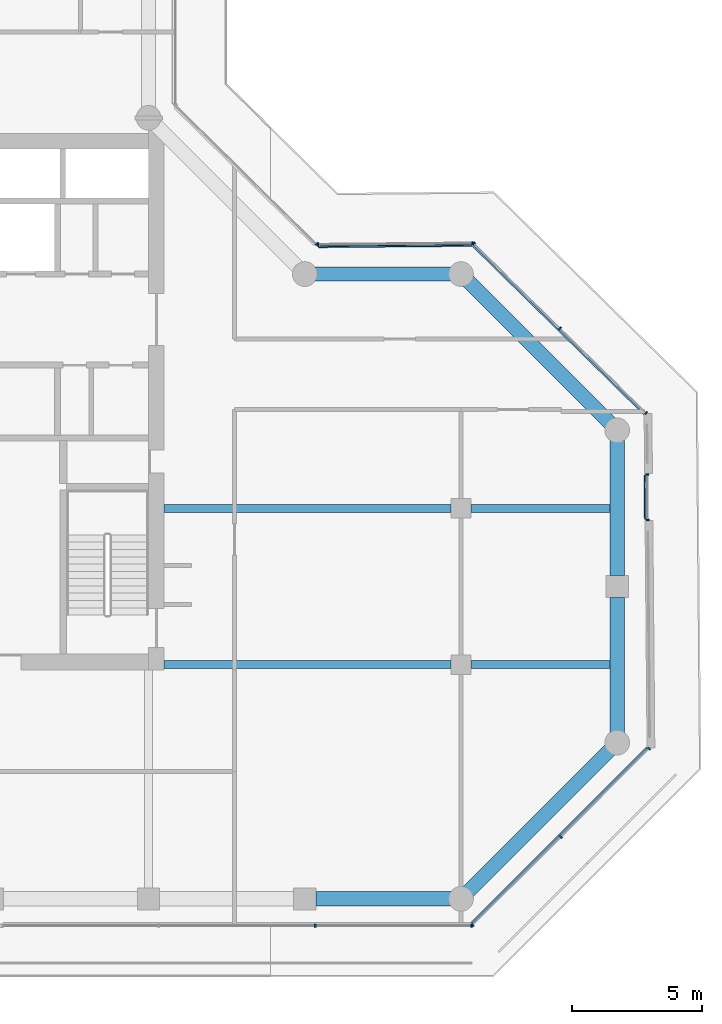
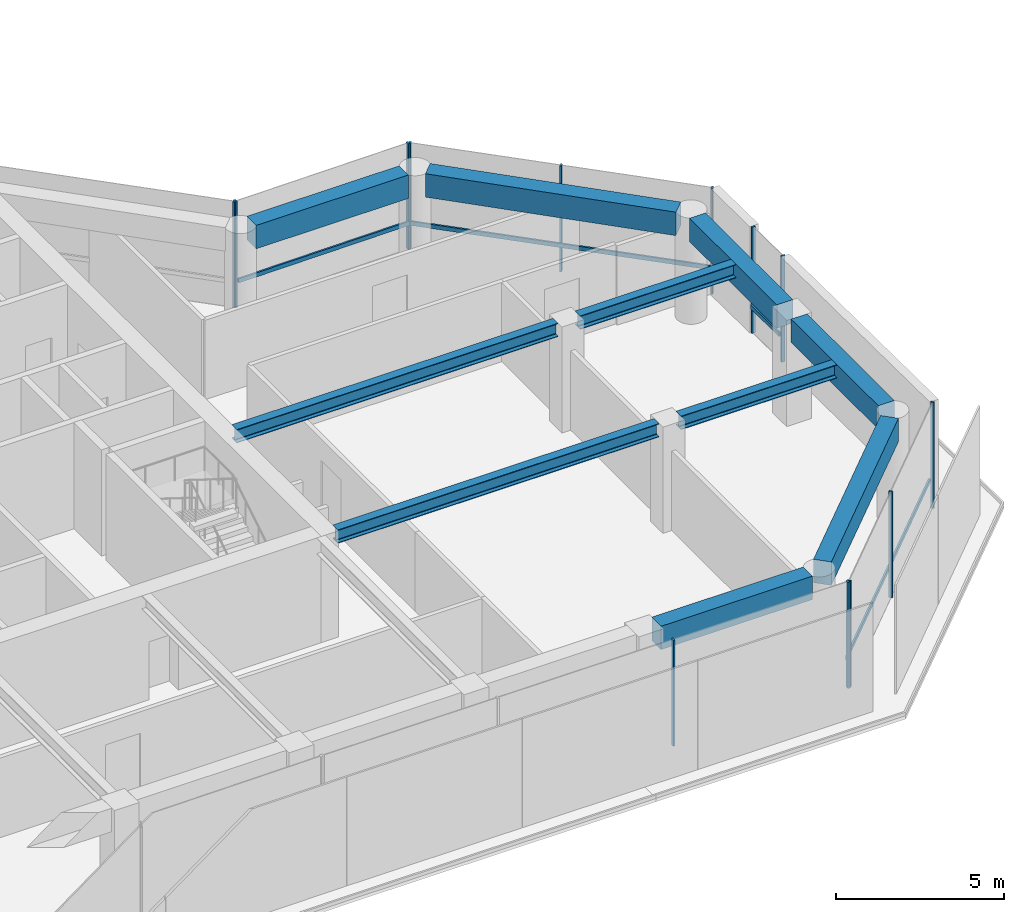
# One storey, part 6 of 19: 17 members, 10 beams, 6 elements without a shape of their own.
"""IFC4 building model written with IfcOpenShell, lengths in metres."""

from ifc_helpers import new_model, si_unit, direction, frame, origin, origin_2d, place, context, subcontext, project, spatial, rectangle, i_section, extrude, material, layer, layer_set, material_profile, profile_set, type_object, element, aggregate, save


model = new_model("IFC4")

# Units and contexts
model_context = context("Model", 3, precision=1e-05, world=origin(), true_north=direction((0.0, 1.0)))
body_context = subcontext(model_context, "Body", "Model", "MODEL_VIEW")
ifc_project = project(units=[si_unit("LENGTHUNIT", "METRE"), si_unit("AREAUNIT", "SQUARE_METRE"), si_unit("VOLUMEUNIT", "CUBIC_METRE"), si_unit("PLANEANGLEUNIT", "RADIAN"), si_unit("MASSUNIT", "GRAM", prefix="KILO")], contexts=[model_context])

# Site, building, storey
site_placement = place(None, origin())
site = spatial("IfcSite", under=ifc_project, at=site_placement, CompositionType="ELEMENT")
building_placement = place(site_placement, origin())
building = spatial("IfcBuilding", under=site, at=building_placement, Name="Welwitschia Terrace Campus", CompositionType="ELEMENT")
storey_placement = place(building_placement, frame((0.0, 0.0, 171.800048828125)))
storey = spatial("IfcBuildingStorey", under=building, at=storey_placement, Name="L38", CompositionType="ELEMENT", Elevation=171.800048828125)

# Beams
ifc_material_1 = material(Name="Steel S355", Category="steel")
ifc_material_profile_1 = material_profile(ifc_material_1, i_section(OverallWidth=0.300048828125, OverallDepth=0.489990234375, WebThickness=0.011962890625, FlangeThickness=0.02294921875, FilletRadius=0.027099609375, at=origin_2d()))
ifc_profile_set_1 = profile_set([ifc_material_profile_1], Name="Steel S355")
beam_type_1 = type_object("IfcBeamType", Name="Interior girder HE 500 A", PredefinedType="BEAM", material=ifc_profile_set_1)
beam_1_placement = place(storey_placement, frame((24.60107421875, 5.0, 3.60498046875), z_axis=(1.0, 0.0, 0.0), x_axis=(0.0, 1.0, 0.0)))
element("IfcBeam", 1, at=beam_1_placement, inside=storey, type_object=beam_type_1, Name="Girder GB4", PredefinedType="BEAM", context=body_context, shape_type="SweptSolid", body=[
    extrude(i_section(OverallWidth=0.300048828125, OverallDepth=0.489990234375, WebThickness=0.011962890625, FlangeThickness=0.02294921875, FilletRadius=0.027099609375, at=origin_2d()), origin(), (0.0, 0.0, 1.0), 11.0234375),
])
beam_2_placement = place(storey_placement, frame((36.37548828125, 5.0, 3.60498046875), z_axis=(1.0, 0.0, 0.0), x_axis=(0.0, 1.0, 0.0)))
element("IfcBeam", 2, at=beam_2_placement, inside=storey, type_object=beam_type_1, Name="Girder GB4", PredefinedType="BEAM", context=body_context, shape_type="SweptSolid", body=[
    extrude(i_section(OverallWidth=0.300048828125, OverallDepth=0.489990234375, WebThickness=0.011962890625, FlangeThickness=0.02294921875, FilletRadius=0.027099609375, at=origin_2d()), origin(), (0.0, 0.0, 1.0), 5.634521484375),
])
beam_3_placement = place(storey_placement, frame((24.60107421875, 11.0, 3.60498046875), z_axis=(1.0, 0.0, 0.0), x_axis=(0.0, 1.0, 0.0)))
element("IfcBeam", 3, at=beam_3_placement, inside=storey, type_object=beam_type_1, Name="Girder GB4", PredefinedType="BEAM", context=body_context, shape_type="SweptSolid", body=[
    extrude(i_section(OverallWidth=0.300048828125, OverallDepth=0.489990234375, WebThickness=0.011962890625, FlangeThickness=0.02294921875, FilletRadius=0.027099609375, at=origin_2d()), origin(), (0.0, 0.0, 1.0), 11.0234375),
])
beam_4_placement = place(storey_placement, frame((36.37548828125, 11.0, 3.60498046875), z_axis=(1.0, 0.0, 0.0), x_axis=(0.0, 1.0, 0.0)))
element("IfcBeam", 4, at=beam_4_placement, inside=storey, type_object=beam_type_1, Name="Girder GB4", PredefinedType="BEAM", context=body_context, shape_type="SweptSolid", body=[
    extrude(i_section(OverallWidth=0.300048828125, OverallDepth=0.489990234375, WebThickness=0.011962890625, FlangeThickness=0.02294921875, FilletRadius=0.027099609375, at=origin_2d()), origin(), (0.0, 0.0, 1.0), 5.634521484375),
])

# Curtain wall, members
ifc_material_2 = material(Name="Bronze anodised aluminium", Category="aluminium")
ifc_layer = layer(ifc_material_2, 0.1201171875)
ifc_layer_set = layer_set([ifc_layer], Name="Bronze anodised aluminium")
curtain_wall_type = type_object("IfcCurtainWallType", Name="Curtain wall CW2 tower 6000", PredefinedType="NOTDEFINED", material=ifc_layer_set)
curtain_wall_1_placement = place(storey_placement, origin())
curtain_wall_1 = element("IfcCurtainWall", 5, at=curtain_wall_1_placement, inside=storey, type_object=curtain_wall_type, Name="CW L38.4.0", PredefinedType="NOTDEFINED")
ifc_material_3 = material(Name="Bronze anodised aluminium", Category="aluminium")
ifc_material_profile_2 = material_profile(ifc_material_3, rectangle(XDim=0.1201171875, YDim=0.06005859375, at=origin_2d()))
ifc_profile_set_2 = profile_set([ifc_material_profile_2], Name="Bronze anodised aluminium")
member_type_1 = type_object("IfcMemberType", Name="Mullion 60x120", PredefinedType="MULLION", material=ifc_profile_set_2)
member_1_placement = place(storey_placement, frame((30.401611328125, -5.030029296875, 0.0), z_axis=(0.0, 0.0, 1.0), x_axis=(0.0, 1.0, 0.0)))
member_1 = element("IfcMember", 6, at=member_1_placement, type_object=member_type_1, Name="Mullion L38.4.0.2", PredefinedType="MULLION", context=body_context, shape_type="SweptSolid", body=[
    extrude(rectangle(XDim=0.1201171875, YDim=0.06005859375, at=origin_2d()), origin(), (0.0, 0.0, 1.0), 3.849853515625),
])
member_2_placement = place(storey_placement, frame((36.396728515625, -5.030029296875, 0.0), z_axis=(0.0, 0.0, 1.0), x_axis=(0.0, 1.0, 0.0)))
member_2 = element("IfcMember", 7, at=member_2_placement, type_object=member_type_1, Name="Mullion L38.4.0.3", PredefinedType="MULLION", context=body_context, shape_type="SweptSolid", body=[
    extrude(rectangle(XDim=0.1201171875, YDim=0.06005859375, at=origin_2d()), origin(), (0.0, 0.0, 1.0), 3.849853515625),
])
aggregate(curtain_wall_1, [member_1, member_2])

curtain_wall_2_placement = place(storey_placement, origin())
curtain_wall_2 = element("IfcCurtainWall", 8, at=curtain_wall_2_placement, inside=storey, type_object=curtain_wall_type, Name="CW L38.5.0", PredefinedType="NOTDEFINED")
member_3_placement = place(storey_placement, frame((36.44775390625, -5.0087890625, 0.0), z_axis=(0.0, 0.0, 1.0), x_axis=(-0.707169879169, 0.707043677573, 0.0)))
member_3 = element("IfcMember", 9, at=member_3_placement, type_object=member_type_1, Name="Mullion L38.5.0.0", PredefinedType="MULLION", context=body_context, shape_type="SweptSolid", body=[
    extrude(rectangle(XDim=0.1201171875, YDim=0.06005859375, at=origin_2d()), origin(), (0.0, 0.0, 1.0), 3.849853515625),
])
member_4_placement = place(storey_placement, frame((39.83642578125, -1.61962890625, 0.0), z_axis=(0.0, 0.0, 1.0), x_axis=(-0.707169879169, 0.707043677573, 0.0)))
member_4 = element("IfcMember", 10, at=member_4_placement, type_object=member_type_1, Name="Mullion L38.5.0.1", PredefinedType="MULLION", context=body_context, shape_type="SweptSolid", body=[
    extrude(rectangle(XDim=0.1201171875, YDim=0.06005859375, at=origin_2d()), origin(), (0.0, 0.0, 1.0), 3.849853515625),
])
member_5_placement = place(storey_placement, frame((43.224853515625, 1.76953125, 0.0), z_axis=(0.0, 0.0, 1.0), x_axis=(-0.707169879169, 0.707043677573, 0.0)))
member_5 = element("IfcMember", 11, at=member_5_placement, type_object=member_type_1, Name="Mullion L38.5.0.2", PredefinedType="MULLION", context=body_context, shape_type="SweptSolid", body=[
    extrude(rectangle(XDim=0.1201171875, YDim=0.06005859375, at=origin_2d()), origin(), (0.0, 0.0, 1.0), 3.849853515625),
])

curtain_wall_3_placement = place(storey_placement, origin())
curtain_wall_3 = element("IfcCurtainWall", 12, at=curtain_wall_3_placement, inside=storey, type_object=curtain_wall_type, Name="CW L38.6.S0", PredefinedType="NOTDEFINED")
member_6_placement = place(storey_placement, frame((43.169677734375, 10.560546875, 0.0), z_axis=(0.0, 0.0, 1.0), x_axis=(-0.999961923064, -0.008726535498, 0.0)))
member_6 = element("IfcMember", 13, at=member_6_placement, type_object=member_type_1, Name="Mullion L38.6.S0.0", PredefinedType="MULLION", context=body_context, shape_type="SweptSolid", body=[
    extrude(rectangle(XDim=0.1201171875, YDim=0.06005859375, at=origin_2d()), origin(), (0.0, 0.0, 1.0), 3.849853515625),
])
member_7_placement = place(storey_placement, frame((43.154541015625, 12.30029296875, 0.0), z_axis=(0.0, 0.0, 1.0), x_axis=(-0.999961923064, -0.008726535498, 0.0)))
member_7 = element("IfcMember", 14, at=member_7_placement, type_object=member_type_1, Name="Mullion L38.6.S0.1", PredefinedType="MULLION", context=body_context, shape_type="SweptSolid", body=[
    extrude(rectangle(XDim=0.1201171875, YDim=0.06005859375, at=origin_2d()), origin(), (0.0, 0.0, 1.0), 3.849853515625),
])

curtain_wall_4_placement = place(storey_placement, origin())
curtain_wall_4 = element("IfcCurtainWall", 15, at=curtain_wall_4_placement, inside=storey, type_object=curtain_wall_type, Name="CW L38.7.0", PredefinedType="NOTDEFINED")
member_8_placement = place(storey_placement, frame((43.112548828125, 14.664794921875, 0.0), z_axis=(0.0, 0.0, 1.0), x_axis=(-0.7009092643, -0.713250449154, 0.0)))
member_8 = element("IfcMember", 16, at=member_8_placement, type_object=member_type_1, Name="Mullion L38.7.0.0", PredefinedType="MULLION", context=body_context, shape_type="SweptSolid", body=[
    extrude(rectangle(XDim=0.1201171875, YDim=0.06005859375, at=origin_2d()), origin(), (0.0, 0.0, 1.0), 3.849853515625),
])
member_9_placement = place(storey_placement, frame((39.8037109375, 17.91650390625, 0.0), z_axis=(0.0, 0.0, 1.0), x_axis=(-0.7009092643, -0.713250449154, 0.0)))
member_9 = element("IfcMember", 17, at=member_9_placement, type_object=member_type_1, Name="Mullion L38.7.0.1", PredefinedType="MULLION", context=body_context, shape_type="SweptSolid", body=[
    extrude(rectangle(XDim=0.1201171875, YDim=0.06005859375, at=origin_2d()), origin(), (0.0, 0.0, 1.0), 3.849853515625),
])
member_10_placement = place(storey_placement, frame((36.49462890625, 21.168212890625, 0.0), z_axis=(0.0, 0.0, 1.0), x_axis=(-0.7009092643, -0.713250449154, 0.0)))
member_10 = element("IfcMember", 18, at=member_10_placement, type_object=member_type_1, Name="Mullion L38.7.0.2", PredefinedType="MULLION", context=body_context, shape_type="SweptSolid", body=[
    extrude(rectangle(XDim=0.1201171875, YDim=0.06005859375, at=origin_2d()), origin(), (0.0, 0.0, 1.0), 3.849853515625),
])

curtain_wall_5_placement = place(storey_placement, origin())
curtain_wall_5 = element("IfcCurtainWall", 19, at=curtain_wall_5_placement, inside=storey, type_object=curtain_wall_type, Name="CW L38.8.0", PredefinedType="NOTDEFINED")
member_11_placement = place(storey_placement, frame((36.443359375, 21.18896484375, 0.0), z_axis=(0.0, 0.0, 1.0), x_axis=(0.008726535498, -0.999961923064, 0.0)))
member_11 = element("IfcMember", 20, at=member_11_placement, type_object=member_type_1, Name="Mullion L38.8.0.0", PredefinedType="MULLION", context=body_context, shape_type="SweptSolid", body=[
    extrude(rectangle(XDim=0.1201171875, YDim=0.06005859375, at=origin_2d()), origin(), (0.0, 0.0, 1.0), 3.849853515625),
])
member_12_placement = place(storey_placement, frame((30.50341796875, 21.136962890625, 0.0), z_axis=(0.0, 0.0, 1.0), x_axis=(0.008726535498, -0.999961923064, 0.0)))
member_12 = element("IfcMember", 21, at=member_12_placement, type_object=member_type_1, Name="Mullion L38.8.0.1", PredefinedType="MULLION", context=body_context, shape_type="SweptSolid", body=[
    extrude(rectangle(XDim=0.1201171875, YDim=0.06005859375, at=origin_2d()), origin(), (0.0, 0.0, 1.0), 3.849853515625),
])

# Curtain wall, member
curtain_wall_6_placement = place(storey_placement, origin())
curtain_wall_6 = element("IfcCurtainWall", 22, at=curtain_wall_6_placement, inside=storey, type_object=curtain_wall_type, Name="CW L38.9.0", PredefinedType="NOTDEFINED")
member_13_placement = place(storey_placement, frame((30.4521484375, 21.15771484375, 0.0), z_axis=(0.0, 0.0, 1.0), x_axis=(-0.7009092643, -0.713250449154, 0.0)))
member_13 = element("IfcMember", 23, at=member_13_placement, type_object=member_type_1, Name="Mullion L38.9.0.0", PredefinedType="MULLION", context=body_context, shape_type="SweptSolid", body=[
    extrude(rectangle(XDim=0.1201171875, YDim=0.06005859375, at=origin_2d()), origin(), (0.0, 0.0, 1.0), 3.849853515625),
])
aggregate(curtain_wall_6, [member_13])

# Beams
ifc_material_4 = material(Name="Concrete C50/60", Category="concrete")
ifc_material_profile_3 = material_profile(ifc_material_4, rectangle(XDim=0.550048828125, YDim=0.85009765625, at=origin_2d()))
ifc_profile_set_3 = profile_set([ifc_material_profile_3], Name="Concrete C50/60")
beam_type_2 = type_object("IfcBeamType", Name="Ring spandrel 550x850", PredefinedType="SPANDREL", material=ifc_profile_set_3)
beam_5_placement = place(storey_placement, frame((30.425537109375, -4.0, 3.425048828125), z_axis=(1.0, 0.0, 0.0), x_axis=(0.0, 1.0, 0.0)))
element("IfcBeam", 24, at=beam_5_placement, inside=storey, type_object=beam_type_2, Name="Spandrel SP3", PredefinedType="SPANDREL", context=body_context, shape_type="SweptSolid", body=[
    extrude(rectangle(XDim=0.550048828125, YDim=0.85009765625, at=origin_2d()), origin(), (0.0, 0.0, 1.0), 5.1865234375),
])
beam_6_placement = place(storey_placement, frame((36.2744140625, -3.7255859375, 3.425048828125), z_axis=(0.707106781187, 0.707106781187, 0.0), x_axis=(-0.707106781187, 0.707106781187, 0.0)))
element("IfcBeam", 25, at=beam_6_placement, inside=storey, type_object=beam_type_2, Name="Spandrel SP3", PredefinedType="SPANDREL", context=body_context, shape_type="SweptSolid", body=[
    extrude(rectangle(XDim=0.550048828125, YDim=0.85009765625, at=origin_2d()), origin(), (0.0, 0.0, 1.0), 7.709228515625),
])
for number, where, z_axis, x_axis, name in (
    (26, (42.0, 2.387939453125, 3.425048828125), (0.0, 1.0, 0.0), (-1.0, 0.0, 0.0), "Spandrel SP3"),
    (27, (42.0, 8.425537109375, 3.425048828125), (0.0, 1.0, 0.0), (-1.0, 0.0, 0.0), "Spandrel SP3"),
):
    element("IfcBeam", number, at=place(storey_placement, frame(where, z_axis=z_axis, x_axis=x_axis)), inside=storey, type_object=beam_type_2, Name=name, PredefinedType="SPANDREL", context=body_context, shape_type="SweptSolid", body=[
        extrude(rectangle(XDim=0.550048828125, YDim=0.85009765625, at=origin_2d()), origin(), (0.0, 0.0, 1.0), 5.1865234375),
    ])
beam_7_placement = place(storey_placement, frame((41.7255859375, 14.2744140625, 3.425048828125), z_axis=(-0.707106781187, 0.707106781187, 0.0), x_axis=(-0.707106781187, -0.707106781187, 0.0)))
element("IfcBeam", 28, at=beam_7_placement, inside=storey, type_object=beam_type_2, Name="Spandrel SP3", PredefinedType="SPANDREL", context=body_context, shape_type="SweptSolid", body=[
    extrude(rectangle(XDim=0.550048828125, YDim=0.85009765625, at=origin_2d()), origin(), (0.0, 0.0, 1.0), 7.709228515625),
])
beam_8_placement = place(storey_placement, frame((35.612060546875, 20.0, 3.425048828125), z_axis=(-1.0, 0.0, 0.0), x_axis=(0.0, -1.0, 0.0)))
element("IfcBeam", 29, at=beam_8_placement, inside=storey, type_object=beam_type_2, Name="Spandrel SP3", PredefinedType="SPANDREL", context=body_context, shape_type="SweptSolid", body=[
    extrude(rectangle(XDim=0.550048828125, YDim=0.85009765625, at=origin_2d()), origin(), (0.0, 0.0, 1.0), 5.22412109375),
])

# Member
ifc_material_5 = material(Name="Bronze anodised aluminium", Category="aluminium")
ifc_material_profile_4 = material_profile(ifc_material_5, rectangle(XDim=0.06005859375, YDim=0.14990234375, at=origin_2d()))
ifc_profile_set_4 = profile_set([ifc_material_profile_4], Name="Bronze anodised aluminium")
member_type_2 = type_object("IfcMemberType", Name="Transom 60x150", PredefinedType="USERDEFINED", material=ifc_profile_set_4)
member_14_placement = place(storey_placement, frame((36.405517578125, -4.923828125, 1.0), z_axis=(0.707042699735, 0.707170856831, 0.0), x_axis=(-0.707170856831, 0.707042699735, 0.0)))
member_14 = element("IfcMember", 30, at=member_14_placement, type_object=member_type_2, Name="Transom L38.5.0", ObjectType="TRANSOM", PredefinedType="USERDEFINED", context=body_context, shape_type="SweptSolid", body=[
    extrude(rectangle(XDim=0.06005859375, YDim=0.14990234375, at=origin_2d()), origin(), (0.0, 0.0, 1.0), 9.525146484375),
])

aggregate(curtain_wall_2, [member_3, member_4, member_5, member_14])

member_15_placement = place(storey_placement, frame((43.079345703125, 10.589599609375, 1.0), z_axis=(-0.00871933137, 0.999961985908, 0.0), x_axis=(-0.999961985908, -0.00871933137, 0.0)))
member_15 = element("IfcMember", 31, at=member_15_placement, type_object=member_type_2, Name="Transom L38.6.S0", ObjectType="TRANSOM", PredefinedType="USERDEFINED", context=body_context, shape_type="SweptSolid", body=[
    extrude(rectangle(XDim=0.06005859375, YDim=0.14990234375, at=origin_2d()), origin(), (0.0, 0.0, 1.0), 1.679931640625),
])

aggregate(curtain_wall_3, [member_6, member_7, member_15])

member_16_placement = place(storey_placement, frame((43.028076171875, 14.62158203125, 1.0), z_axis=(-0.713250484772, 0.700909228055, 0.0), x_axis=(-0.700909228055, -0.713250484772, 0.0)))
member_16 = element("IfcMember", 32, at=member_16_placement, type_object=member_type_2, Name="Transom L38.7.0", ObjectType="TRANSOM", PredefinedType="USERDEFINED", context=body_context, shape_type="SweptSolid", body=[
    extrude(rectangle(XDim=0.06005859375, YDim=0.14990234375, at=origin_2d()), origin(), (0.0, 0.0, 1.0), 9.21875),
])

aggregate(curtain_wall_4, [member_8, member_9, member_10, member_16])

member_17_placement = place(storey_placement, frame((36.4140625, 21.0986328125, 1.0), z_axis=(-0.999961987486, -0.008719150364, 0.0), x_axis=(0.008719150364, -0.999961987486, 0.0)))
member_17 = element("IfcMember", 33, at=member_17_placement, type_object=member_type_2, Name="Transom L38.8.0", ObjectType="TRANSOM", PredefinedType="USERDEFINED", context=body_context, shape_type="SweptSolid", body=[
    extrude(rectangle(XDim=0.06005859375, YDim=0.14990234375, at=origin_2d()), origin(), (0.0, 0.0, 1.0), 5.880126953125),
])

aggregate(curtain_wall_5, [member_11, member_12, member_17])

save(model, "model.ifc")
